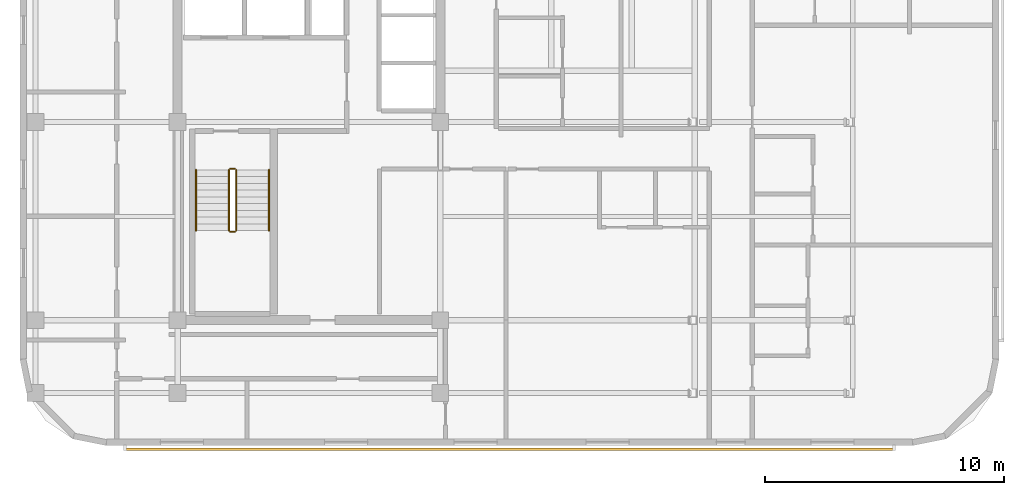
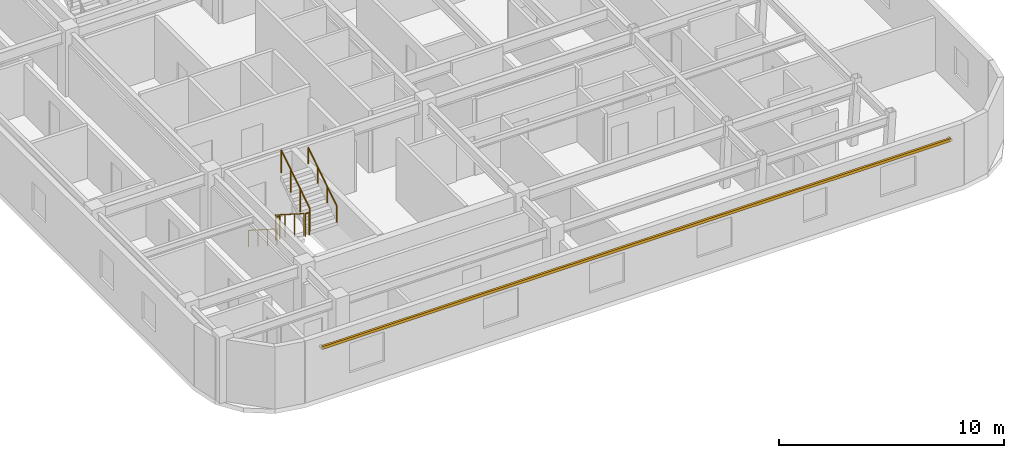
# One storey, part 8 of 10: 6 railings, 1 shading device.
"""IFC4 building model written with IfcOpenShell, lengths in metres."""

from ifc_helpers import new_model, si_unit, direction, frame, origin, origin_2d, place, context, subcontext, project, spatial, rectangle, circle, extrude, material, material_profile, profile_set, type_object, element, save


model = new_model("IFC4")

# Units and contexts
model_context = context("Model", 3, precision=1e-05, world=origin(), true_north=direction((0.0, 1.0)))
body_context = subcontext(model_context, "Body", "Model", "MODEL_VIEW")
ifc_project = project(units=[si_unit("LENGTHUNIT", "METRE"), si_unit("AREAUNIT", "SQUARE_METRE"), si_unit("VOLUMEUNIT", "CUBIC_METRE"), si_unit("PLANEANGLEUNIT", "RADIAN"), si_unit("MASSUNIT", "GRAM", prefix="KILO")], contexts=[model_context])

# Site, building, storey
site_placement = place(None, origin())
site = spatial("IfcSite", under=ifc_project, at=site_placement, CompositionType="ELEMENT")
building_placement = place(site_placement, origin())
building = spatial("IfcBuilding", under=site, at=building_placement, Name="Ochreholt Gables", CompositionType="ELEMENT")
storey_placement = place(building_placement, frame((0.0, 0.0, 166.199951171875)))
storey = spatial("IfcBuildingStorey", under=building, at=storey_placement, Name="L43", CompositionType="ELEMENT", Elevation=166.199951171875)

# Railings
ifc_material_1 = material(Name="Painted Steel Stair Guardrail", Category="steel")
railing_type_1 = type_object("IfcRailingType", Name="RL-ST-GUARD", PredefinedType="GUARDRAIL", material=ifc_material_1)
railing_1_placement = place(storey_placement, frame((26.35009765625, 15.5400390625, 0.179931640625)))
element("IfcRailing", 1, at=railing_1_placement, inside=storey, type_object=railing_type_1, Name="L43 ST-1 stair guard 1", PredefinedType="GUARDRAIL", context=body_context, shape_type="SweptSolid", body=[
    extrude(circle(Radius=0.02392578125, at=origin_2d()), frame((0.0, 0.0, 1.22607421875), z_axis=(0.0, -0.842912820907, 0.538050161556), x_axis=(1.0, 0.0, 0.0)), (0.0, 0.0, 1.0), 3.010986328125),
    extrude(circle(Radius=0.02099609375, at=origin_2d()), origin(), (0.0, 0.0, 1.0), 1.201904296875),
    extrude(circle(Radius=0.02099609375, at=origin_2d()), frame((0.0, -0.845947265625, 0.5400390625)), (0.0, 0.0, 1.0), 1.201904296875),
    extrude(circle(Radius=0.02099609375, at=origin_2d()), frame((0.0, -1.692138671875, 1.080078125)), (0.0, 0.0, 1.0), 1.201904296875),
    extrude(circle(Radius=0.02099609375, at=origin_2d()), frame((0.0, -2.5380859375, 1.6201171875)), (0.0, 0.0, 1.0), 1.201904296875),
])
railing_2_placement = place(storey_placement, frame((26.39990234375, 12.951904296875, 1.800048828125)))
element("IfcRailing", 2, at=railing_2_placement, inside=storey, type_object=railing_type_1, Name="L43 ST-1 stair guard 2", PredefinedType="GUARDRAIL", context=body_context, shape_type="SweptSolid", body=[
    extrude(circle(Radius=0.02392578125, at=origin_2d()), frame((0.0, 0.0, 1.22607421875), z_axis=(1.0, 0.0, 0.0), x_axis=(0.0, 1.0, 0.0)), (0.0, 0.0, 1.0), 0.2001953125),
    extrude(circle(Radius=0.02099609375, at=origin_2d()), origin(), (0.0, 0.0, 1.0), 1.201904296875),
    extrude(circle(Radius=0.02099609375, at=origin_2d()), frame((0.2001953125, 0.0, 0.0)), (0.0, 0.0, 1.0), 1.201904296875),
])
railing_3_placement = place(storey_placement, frame((26.64990234375, 13.001953125, 1.97998046875)))
element("IfcRailing", 3, at=railing_3_placement, inside=storey, type_object=railing_type_1, Name="L43 ST-1 stair guard 3", PredefinedType="GUARDRAIL", context=body_context, shape_type="SweptSolid", body=[
    extrude(circle(Radius=0.02392578125, at=origin_2d()), frame((0.0, 0.0, 1.22607421875), z_axis=(0.0, 0.842912820907, 0.538050161556), x_axis=(-1.0, 0.0, 0.0)), (0.0, 0.0, 1.0), 3.010986328125),
    extrude(circle(Radius=0.02099609375, at=origin_2d()), origin(), (0.0, 0.0, 1.0), 1.201904296875),
    extrude(circle(Radius=0.02099609375, at=origin_2d()), frame((0.0, 0.845947265625, 0.5400390625)), (0.0, 0.0, 1.0), 1.201904296875),
    extrude(circle(Radius=0.02099609375, at=origin_2d()), frame((0.0, 1.692138671875, 1.080078125)), (0.0, 0.0, 1.0), 1.201904296875),
    extrude(circle(Radius=0.02099609375, at=origin_2d()), frame((0.0, 2.5380859375, 1.6201171875)), (0.0, 0.0, 1.0), 1.201904296875),
])
railing_4_placement = place(storey_placement, frame((26.39990234375, 15.590087890625, 0.0)))
element("IfcRailing", 4, at=railing_4_placement, inside=storey, type_object=railing_type_1, Name="L43 ST-1 stair guard 4", PredefinedType="GUARDRAIL", context=body_context, shape_type="SweptSolid", body=[
    extrude(circle(Radius=0.02392578125, at=origin_2d()), frame((0.0, 0.0, 1.22607421875), z_axis=(1.0, 0.0, 0.0), x_axis=(0.0, 1.0, 0.0)), (0.0, 0.0, 1.0), 0.2001953125),
    extrude(circle(Radius=0.02099609375, at=origin_2d()), origin(), (0.0, 0.0, 1.0), 1.201904296875),
    extrude(circle(Radius=0.02099609375, at=origin_2d()), frame((0.2001953125, 0.0, 0.0)), (0.0, 0.0, 1.0), 1.201904296875),
])
ifc_material_2 = material(Name="Brushed Stainless Steel Wall Handrail", Category="steel")
railing_type_2 = type_object("IfcRailingType", Name="RL-ST-HAND", PredefinedType="HANDRAIL", material=ifc_material_2)
railing_5_placement = place(storey_placement, frame((24.969970703125, 15.5400390625, 0.179931640625)))
element("IfcRailing", 5, at=railing_5_placement, inside=storey, type_object=railing_type_2, Name="L43 ST-1 stair handrail 1", PredefinedType="HANDRAIL", context=body_context, shape_type="SweptSolid", body=[
    extrude(circle(Radius=0.02392578125, at=origin_2d()), frame((0.0, 0.0, 0.8759765625), z_axis=(0.0, -0.842912820907, 0.538050161556), x_axis=(1.0, 0.0, 0.0)), (0.0, 0.0, 1.0), 3.010986328125),
    extrude(circle(Radius=0.02099609375, at=origin_2d()), origin(), (0.0, 0.0, 1.0), 0.851806640625),
    extrude(circle(Radius=0.02099609375, at=origin_2d()), frame((0.0, -0.845947265625, 0.5400390625)), (0.0, 0.0, 1.0), 0.851806640625),
    extrude(circle(Radius=0.02099609375, at=origin_2d()), frame((0.0, -1.692138671875, 1.080078125)), (0.0, 0.0, 1.0), 0.851806640625),
    extrude(circle(Radius=0.02099609375, at=origin_2d()), frame((0.0, -2.5380859375, 1.6201171875)), (0.0, 0.0, 1.0), 0.851806640625),
])
railing_6_placement = place(storey_placement, frame((28.030029296875, 13.001953125, 1.97998046875)))
element("IfcRailing", 6, at=railing_6_placement, inside=storey, type_object=railing_type_2, Name="L43 ST-1 stair handrail 2", PredefinedType="HANDRAIL", context=body_context, shape_type="SweptSolid", body=[
    extrude(circle(Radius=0.02392578125, at=origin_2d()), frame((0.0, 0.0, 0.8759765625), z_axis=(0.0, 0.842912820907, 0.538050161556), x_axis=(-1.0, 0.0, 0.0)), (0.0, 0.0, 1.0), 3.010986328125),
    extrude(circle(Radius=0.02099609375, at=origin_2d()), origin(), (0.0, 0.0, 1.0), 0.851806640625),
    extrude(circle(Radius=0.02099609375, at=origin_2d()), frame((0.0, 0.845947265625, 0.5400390625)), (0.0, 0.0, 1.0), 0.851806640625),
    extrude(circle(Radius=0.02099609375, at=origin_2d()), frame((0.0, 1.692138671875, 1.080078125)), (0.0, 0.0, 1.0), 0.851806640625),
    extrude(circle(Radius=0.02099609375, at=origin_2d()), frame((0.0, 2.5380859375, 1.6201171875)), (0.0, 0.0, 1.0), 0.851806640625),
])

# Shading device
ifc_material_3 = material(Name="Warm Ochre Glazed Terracotta Baguette", Category="masonry")
ifc_material_profile = material_profile(ifc_material_3, rectangle(XDim=0.110107421875, YDim=0.14990234375, at=origin_2d()), Name="TCBAG110X150")
ifc_profile_set = profile_set([ifc_material_profile], Name="Warm Ochre Glazed Terracotta Baguette")
shading_device_type = type_object("IfcShadingDeviceType", Name="SHD-BAGUETTE", PredefinedType="USERDEFINED", material=ifc_profile_set)
shading_device_placement = place(storey_placement, frame((22.0, 3.85009765625, 2.840087890625), z_axis=(1.0, 0.0, 0.0), x_axis=(0.0, 1.0, 0.0)))
element("IfcShadingDevice", 7, at=shading_device_placement, inside=storey, type_object=shading_device_type, Name="L43 Terracotta Baguette Screen S-1", ObjectType="BAGUETTE", PredefinedType="USERDEFINED", context=body_context, shape_type="SweptSolid", body=[
    extrude(rectangle(XDim=0.110107421875, YDim=0.14990234375, at=origin_2d()), origin(), (0.0, 0.0, 1.0), 32.199951171875),
])

save(model, "model.ifc")
